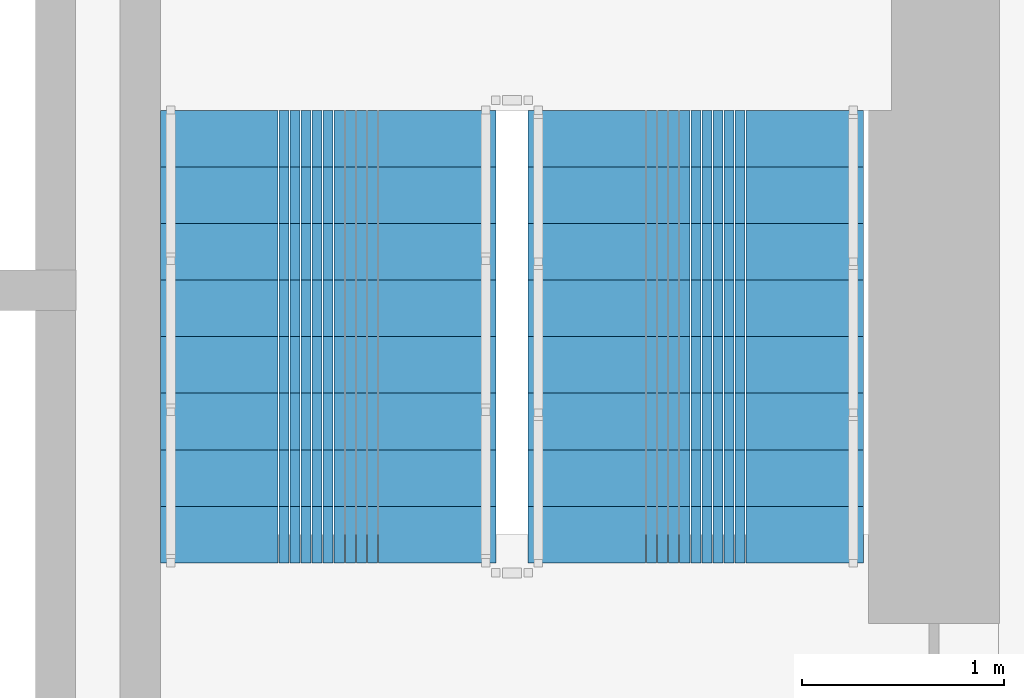
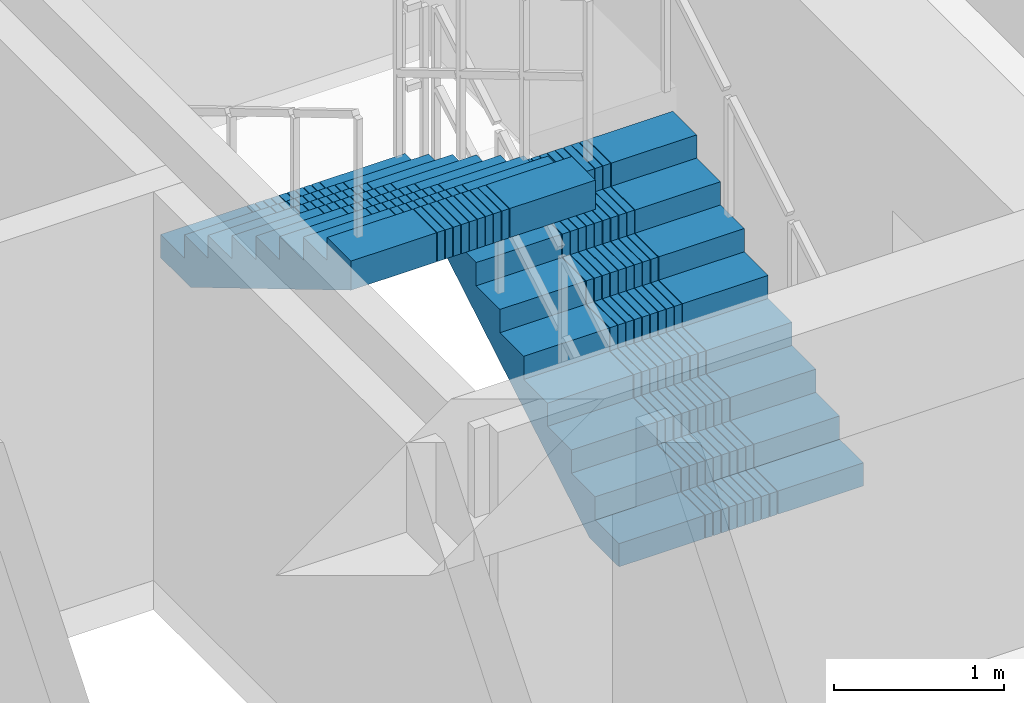
# One storey, part 22 of 28: 2 stair flights, 1 element without a shape of its own.
"""IFC4 building model written with IfcOpenShell, lengths in metres."""

import ifcopenshell
import ifcopenshell.guid

model = None  # the IFC model being written
_history = None  # IfcOwnerHistory: only IFC2X3 demands one
_inside = {}  # id of a spatial element -> (the spatial element, [elements in it])
_under = {}  # id of a project, library or spatial element -> (it, [spatial elements below it])
_declared = {}  # id of a project -> (the project, [libraries it declares])
_typed = {}  # id of a type object -> (the type object, [elements of that type])
_made_of = {}  # id of a material, layer set ... -> (it, [elements and type objects made of it])


def new_model(schema):
    """Start an empty IFC model of exactly this schema.

    Asked for "IFC4X3", IfcOpenShell would pick the latest addendum, in which some entities
    have other attributes; the version numbers below select the first issue.
    IFC2X3 requires an IfcOwnerHistory on every rooted entity: one is made here for all.
    """
    global model, _history
    if schema == "IFC4X3":
        model = ifcopenshell.file(schema_version=(4, 3, 0, 0))
    else:
        model = ifcopenshell.file(schema=schema)
    _inside.clear()
    _under.clear()
    _declared.clear()
    _typed.clear()
    _made_of.clear()
    _history = None
    if model.schema == "IFC2X3":
        org = make("IfcOrganization", Name="unknown")
        user = make(
            "IfcPersonAndOrganization",
            ThePerson=make("IfcPerson", FamilyName="unknown"),
            TheOrganization=org,
        )
        app = make(
            "IfcApplication",
            ApplicationDeveloper=org,
            Version="unknown",
            ApplicationFullName="unknown",
            ApplicationIdentifier="unknown",
        )
        _history = make(
            "IfcOwnerHistory",
            OwningUser=user,
            OwningApplication=app,
            ChangeAction="ADDED",
            CreationDate=0,
        )
    return model


def make(cls, **values):
    """One entity of the class cls with the attributes given. An attribute that is None is left unset."""
    return model.create_entity(
        cls, **{name: value for name, value in values.items() if value is not None}
    )


def rooted(cls, **values):
    """An entity with a GlobalId (a new one), such as an element, a storey or a relation."""
    return make(cls, GlobalId=ifcopenshell.guid.new(), OwnerHistory=_history, **values)


def si_unit(unit_type, name, prefix=None):
    """IfcSIUnit, for example si_unit("LENGTHUNIT", "METRE", prefix="MILLI")."""
    return make("IfcSIUnit", UnitType=unit_type, Prefix=prefix, Name=name)


def assignment(units):
    """IfcUnitAssignment: the units of a project."""
    return None if units is None else make("IfcUnitAssignment", Units=units)


def point(xyz):
    """IfcCartesianPoint."""
    return None if xyz is None else make("IfcCartesianPoint", Coordinates=xyz)


def direction(xyz):
    """IfcDirection."""
    return None if xyz is None else make("IfcDirection", DirectionRatios=xyz)


def frame(location, z_axis=None, x_axis=None):
    """IfcAxis2Placement3D, a coordinate frame: its origin and axes. An axis left out is left unset."""
    return make(
        "IfcAxis2Placement3D",
        Location=point(location),
        Axis=direction(z_axis),
        RefDirection=direction(x_axis),
    )


def origin():
    """The frame at (0, 0, 0) with its axes left unset."""
    return frame((0.0, 0.0, 0.0))


def place(relative_to, where):
    """IfcLocalPlacement: puts the frame where relative to a parent placement (None: the world)."""
    return make(
        "IfcLocalPlacement", PlacementRelTo=relative_to, RelativePlacement=where
    )


def context(
    kind, dimensions, precision=None, world=None, true_north=None, identifier=None
):
    """IfcGeometricRepresentationContext, for example the 3D "Model" context."""
    return make(
        "IfcGeometricRepresentationContext",
        ContextIdentifier=identifier,
        ContextType=kind,
        CoordinateSpaceDimension=dimensions,
        Precision=precision,
        WorldCoordinateSystem=world,
        TrueNorth=true_north,
    )


def subcontext(parent, identifier, kind, view, scale=None):
    """IfcGeometricRepresentationSubContext, for example "Body" below "Model"."""
    return make(
        "IfcGeometricRepresentationSubContext",
        ContextIdentifier=identifier,
        ContextType=kind,
        ParentContext=parent,
        TargetScale=scale,
        TargetView=view,
    )


def project(units=None, contexts=None):
    """IfcProject with its units and contexts."""
    return rooted(
        "IfcProject",
        Name="project",
        RepresentationContexts=contexts,
        UnitsInContext=assignment(units),
    )


def spatial(cls, under=None, at=None, **own):
    """A site, building, storey or space (cls), placed at a placement, below another one or the project."""
    s = rooted(cls, ObjectPlacement=at, **own)
    if under is not None:
        _under.setdefault(under.id(), (under, []))[1].append(s)
    return s


def polyline(points):
    """IfcPolyline through the points."""
    return make("IfcPolyline", Points=[point(p) for p in points])


def outline(outer, holes=None, kind="AREA"):
    """IfcArbitraryClosedProfileDef: a profile drawn as a closed curve; with holes, ...WithVoids."""
    if holes is None:
        return make("IfcArbitraryClosedProfileDef", ProfileType=kind, OuterCurve=outer)
    return make(
        "IfcArbitraryProfileDefWithVoids",
        ProfileType=kind,
        OuterCurve=outer,
        InnerCurves=holes,
    )


def extrude(swept, where, along, depth):
    """IfcExtrudedAreaSolid: the profile swept, set in the frame where, extruded along a direction by depth."""
    return make(
        "IfcExtrudedAreaSolid",
        SweptArea=swept,
        Position=where,
        ExtrudedDirection=direction(along),
        Depth=depth,
    )


def shape(context_of_items, identifier, shape_type, items):
    """IfcShapeRepresentation: the items that make up one representation, for example the "Body"."""
    return make(
        "IfcShapeRepresentation",
        ContextOfItems=context_of_items,
        RepresentationIdentifier=identifier,
        RepresentationType=shape_type,
        Items=items,
    )


def material(Name=None, Category=None):
    """IfcMaterial."""
    return make("IfcMaterial", Name=Name, Category=Category)


def made_of(thing, what):
    """Note that an element or type object is made of a material, layer set ...; save() writes the relation."""
    if what is not None:
        _made_of.setdefault(what.id(), (what, []))[1].append(thing)
    return thing


def type_object(cls, material=None, **own):
    """A type object (cls), such as IfcWallType, which elements share."""
    return made_of(rooted(cls, **own), material)


def element(
    cls,
    number,
    at=None,
    inside=None,
    cuts=None,
    type_object=None,
    material=None,
    context=None,
    identifier="Body",
    shape_type=None,
    held_by="IfcProductDefinitionShape",
    body=None,
    shapes=None,
    **own,
):
    """One element of the class cls, such as IfcWall. Its Tag is "e" and its number.

    at: its placement. inside: the storey or other place that contains it. cuts: it is an
    opening in that element (IfcRelVoidsElement). A single representation is given by context,
    identifier, shape_type and body (its items); several are given by shapes. held_by: the class
    of the entity that holds the representations. save() writes the other relations.
    """
    e = rooted(cls, Tag="e%d" % number, ObjectPlacement=at, **own)
    if body is not None:
        shapes = [shape(context, identifier, shape_type, body)]
    if shapes is not None:
        e.Representation = make(held_by, Representations=shapes)
    if inside is not None:
        _inside.setdefault(inside.id(), (inside, []))[1].append(e)
    if cuts is not None:
        rooted(
            "IfcRelVoidsElement", RelatingBuildingElement=cuts, RelatedOpeningElement=e
        )
    if type_object is not None:
        _typed.setdefault(type_object.id(), (type_object, []))[1].append(e)
    return made_of(e, material)


def aggregate(whole, parts):
    """IfcRelAggregates: a whole, such as a stair, and the parts it consists of."""
    return rooted("IfcRelAggregates", RelatingObject=whole, RelatedObjects=parts)


def save(model, path):
    """Write the relations noted so far, then the file.

    IfcRelAggregates (storeys below a building ...), IfcRelContainedInSpatialStructure (elements
    in a storey), IfcRelDefinesByType, IfcRelAssociatesMaterial and IfcRelDeclares: one each for
    every whole, place, type object, material and project.
    """
    for whole, parts in _under.values():
        aggregate(whole, parts)
    for where, things in _inside.values():
        rooted(
            "IfcRelContainedInSpatialStructure",
            RelatedElements=things,
            RelatingStructure=where,
        )
    for kind, things in _typed.values():
        rooted("IfcRelDefinesByType", RelatedObjects=things, RelatingType=kind)
    for what, things in _made_of.values():
        rooted("IfcRelAssociatesMaterial", RelatedObjects=things, RelatingMaterial=what)
    for by, libraries in _declared.values():
        rooted("IfcRelDeclares", RelatingContext=by, RelatedDefinitions=libraries)
    model.write(path)


model = new_model("IFC4")

# Units and contexts
model_context = context("Model", 3, precision=1e-05, world=origin(), true_north=direction((0.0, 1.0)))
body_context = subcontext(model_context, "Body", "Model", "MODEL_VIEW")
ifc_project = project(units=[si_unit("LENGTHUNIT", "METRE"), si_unit("AREAUNIT", "SQUARE_METRE"), si_unit("VOLUMEUNIT", "CUBIC_METRE"), si_unit("PLANEANGLEUNIT", "RADIAN"), si_unit("MASSUNIT", "GRAM", prefix="KILO")], contexts=[model_context])

# Site, building, storey
site_placement = place(None, origin())
site = spatial("IfcSite", under=ifc_project, at=site_placement, CompositionType="ELEMENT")
building_placement = place(site_placement, origin())
building = spatial("IfcBuilding", under=site, at=building_placement, Name="Saelheon Loggia Tower", CompositionType="ELEMENT")
storey_placement = place(building_placement, frame((0.0, 0.0, 25.39990234375)))
storey = spatial("IfcBuildingStorey", under=building, at=storey_placement, Name="L07", CompositionType="ELEMENT", Elevation=25.39990234375)

# Stair, stair flights
ifc_material = material(Name="Concrete C40/50", Category="concrete")
stair_type = type_object("IfcStairType", Name="Stair_Escape_Core", PredefinedType="HALF_TURN_STAIR", material=ifc_material)
stair_placement = place(storey_placement, origin())
stair = element("IfcStair", 1, at=stair_placement, inside=storey, type_object=stair_type, Name="L07 Special Escape Stair ST2", PredefinedType="HALF_TURN_STAIR")
stair_flight_type = type_object("IfcStairFlightType", Name="StairFlight_Tower_1660", PredefinedType="STRAIGHT", material=ifc_material)
stair_flight_1_placement = place(storey_placement, frame((43.320068359375, 30.449951171875, 0.0), z_axis=(0.0, 0.0, 1.0), x_axis=(0.0, 1.0, 0.0)))
stair_flight_1 = element("IfcStairFlight", 2, at=stair_flight_1_placement, type_object=stair_flight_type, Name="ST2 flight 1", NumberOfRisers=9, NumberOfTreads=8, PredefinedType="STRAIGHT", RiserHeight=0.166666667, TreadLength=0.28, context=body_context, shape_type="SweptSolid", body=[
    extrude(outline(polyline([(0.0, 0.0), (0.0, 0.166748046875), (0.280029296875, 0.166748046875), (0.280029296875, 0.333251953125), (0.56005859375, 0.333251953125), (0.56005859375, 0.5), (0.840087890625, 0.5), (0.840087890625, 0.666748046875), (1.1201171875, 0.666748046875), (1.1201171875, 0.833251953125), (1.39990234375, 0.833251953125), (1.39990234375, 1.0), (1.679931640625, 1.0), (1.679931640625, 1.166748046875), (1.9599609375, 1.166748046875), (1.9599609375, 1.333251953125), (2.239990234375, 1.333251953125), (2.239990234375, 1.5), (2.239990234375, 1.1240234375), (0.351806640625, 0.0), (0.0, 0.0)])), frame((0.0, -0.2490234375, 0.0), z_axis=(0.0, -1.0, 0.0), x_axis=(1.0, 0.0, 0.0)), (0.0, 0.0, 1.0), 0.5810546875),
    extrude(outline(polyline([(0.0, 0.0), (0.0, 0.166748046875), (0.280029296875, 0.166748046875), (0.280029296875, 0.333251953125), (0.56005859375, 0.333251953125), (0.56005859375, 0.5), (0.840087890625, 0.5), (0.840087890625, 0.666748046875), (1.1201171875, 0.666748046875), (1.1201171875, 0.833251953125), (1.39990234375, 0.833251953125), (1.39990234375, 1.0), (1.679931640625, 1.0), (1.679931640625, 1.166748046875), (1.9599609375, 1.166748046875), (1.9599609375, 1.333251953125), (2.239990234375, 1.333251953125), (2.239990234375, 1.5), (2.239990234375, 1.1240234375), (0.351806640625, 0.0), (0.0, 0.0)])), frame((0.0, -0.194091796875, 0.0), z_axis=(0.0, -1.0, 0.0), x_axis=(1.0, 0.0, 0.0)), (0.0, 0.0, 1.0), 0.0498046875),
    extrude(outline(polyline([(0.0, 0.0), (0.0, 0.166748046875), (0.280029296875, 0.166748046875), (0.280029296875, 0.333251953125), (0.56005859375, 0.333251953125), (0.56005859375, 0.5), (0.840087890625, 0.5), (0.840087890625, 0.666748046875), (1.1201171875, 0.666748046875), (1.1201171875, 0.833251953125), (1.39990234375, 0.833251953125), (1.39990234375, 1.0), (1.679931640625, 1.0), (1.679931640625, 1.166748046875), (1.9599609375, 1.166748046875), (1.9599609375, 1.333251953125), (2.239990234375, 1.333251953125), (2.239990234375, 1.5), (2.239990234375, 1.1240234375), (0.351806640625, 0.0), (0.0, 0.0)])), frame((0.0, -0.139404296875, 0.0), z_axis=(0.0, -1.0, 0.0), x_axis=(1.0, 0.0, 0.0)), (0.0, 0.0, 1.0), 0.0498046875),
    extrude(outline(polyline([(0.0, 0.0), (0.0, 0.166748046875), (0.280029296875, 0.166748046875), (0.280029296875, 0.333251953125), (0.56005859375, 0.333251953125), (0.56005859375, 0.5), (0.840087890625, 0.5), (0.840087890625, 0.666748046875), (1.1201171875, 0.666748046875), (1.1201171875, 0.833251953125), (1.39990234375, 0.833251953125), (1.39990234375, 1.0), (1.679931640625, 1.0), (1.679931640625, 1.166748046875), (1.9599609375, 1.166748046875), (1.9599609375, 1.333251953125), (2.239990234375, 1.333251953125), (2.239990234375, 1.5), (2.239990234375, 1.1240234375), (0.351806640625, 0.0), (0.0, 0.0)])), frame((0.0, -0.084716796875, 0.0), z_axis=(0.0, -1.0, 0.0), x_axis=(1.0, 0.0, 0.0)), (0.0, 0.0, 1.0), 0.0498046875),
    extrude(outline(polyline([(0.0, 0.0), (0.0, 0.166748046875), (0.280029296875, 0.166748046875), (0.280029296875, 0.333251953125), (0.56005859375, 0.333251953125), (0.56005859375, 0.5), (0.840087890625, 0.5), (0.840087890625, 0.666748046875), (1.1201171875, 0.666748046875), (1.1201171875, 0.833251953125), (1.39990234375, 0.833251953125), (1.39990234375, 1.0), (1.679931640625, 1.0), (1.679931640625, 1.166748046875), (1.9599609375, 1.166748046875), (1.9599609375, 1.333251953125), (2.239990234375, 1.333251953125), (2.239990234375, 1.5), (2.239990234375, 1.1240234375), (0.351806640625, 0.0), (0.0, 0.0)])), frame((0.0, -0.02978515625, 0.0), z_axis=(0.0, -1.0, 0.0), x_axis=(1.0, 0.0, 0.0)), (0.0, 0.0, 1.0), 0.0498046875),
    extrude(outline(polyline([(0.0, 0.0), (0.0, 0.166748046875), (0.280029296875, 0.166748046875), (0.280029296875, 0.333251953125), (0.56005859375, 0.333251953125), (0.56005859375, 0.5), (0.840087890625, 0.5), (0.840087890625, 0.666748046875), (1.1201171875, 0.666748046875), (1.1201171875, 0.833251953125), (1.39990234375, 0.833251953125), (1.39990234375, 1.0), (1.679931640625, 1.0), (1.679931640625, 1.166748046875), (1.9599609375, 1.166748046875), (1.9599609375, 1.333251953125), (2.239990234375, 1.333251953125), (2.239990234375, 1.5), (2.239990234375, 1.1240234375), (0.351806640625, 0.0), (0.0, 0.0)])), frame((0.0, 0.02490234375, 0.0), z_axis=(0.0, -1.0, 0.0), x_axis=(1.0, 0.0, 0.0)), (0.0, 0.0, 1.0), 0.0498046875),
    extrude(outline(polyline([(0.0, 0.0), (0.0, 0.166748046875), (0.280029296875, 0.166748046875), (0.280029296875, 0.333251953125), (0.56005859375, 0.333251953125), (0.56005859375, 0.5), (0.840087890625, 0.5), (0.840087890625, 0.666748046875), (1.1201171875, 0.666748046875), (1.1201171875, 0.833251953125), (1.39990234375, 0.833251953125), (1.39990234375, 1.0), (1.679931640625, 1.0), (1.679931640625, 1.166748046875), (1.9599609375, 1.166748046875), (1.9599609375, 1.333251953125), (2.239990234375, 1.333251953125), (2.239990234375, 1.5), (2.239990234375, 1.1240234375), (0.351806640625, 0.0), (0.0, 0.0)])), frame((0.0, 0.07958984375, 0.0), z_axis=(0.0, -1.0, 0.0), x_axis=(1.0, 0.0, 0.0)), (0.0, 0.0, 1.0), 0.0498046875),
    extrude(outline(polyline([(0.0, 0.0), (0.0, 0.166748046875), (0.280029296875, 0.166748046875), (0.280029296875, 0.333251953125), (0.56005859375, 0.333251953125), (0.56005859375, 0.5), (0.840087890625, 0.5), (0.840087890625, 0.666748046875), (1.1201171875, 0.666748046875), (1.1201171875, 0.833251953125), (1.39990234375, 0.833251953125), (1.39990234375, 1.0), (1.679931640625, 1.0), (1.679931640625, 1.166748046875), (1.9599609375, 1.166748046875), (1.9599609375, 1.333251953125), (2.239990234375, 1.333251953125), (2.239990234375, 1.5), (2.239990234375, 1.1240234375), (0.351806640625, 0.0), (0.0, 0.0)])), frame((0.0, 0.134521484375, 0.0), z_axis=(0.0, -1.0, 0.0), x_axis=(1.0, 0.0, 0.0)), (0.0, 0.0, 1.0), 0.0498046875),
    extrude(outline(polyline([(0.0, 0.0), (0.0, 0.166748046875), (0.280029296875, 0.166748046875), (0.280029296875, 0.333251953125), (0.56005859375, 0.333251953125), (0.56005859375, 0.5), (0.840087890625, 0.5), (0.840087890625, 0.666748046875), (1.1201171875, 0.666748046875), (1.1201171875, 0.833251953125), (1.39990234375, 0.833251953125), (1.39990234375, 1.0), (1.679931640625, 1.0), (1.679931640625, 1.166748046875), (1.9599609375, 1.166748046875), (1.9599609375, 1.333251953125), (2.239990234375, 1.333251953125), (2.239990234375, 1.5), (2.239990234375, 1.1240234375), (0.351806640625, 0.0), (0.0, 0.0)])), frame((0.0, 0.189208984375, 0.0), z_axis=(0.0, -1.0, 0.0), x_axis=(1.0, 0.0, 0.0)), (0.0, 0.0, 1.0), 0.0498046875),
    extrude(outline(polyline([(0.0, 0.0), (0.0, 0.166748046875), (0.280029296875, 0.166748046875), (0.280029296875, 0.333251953125), (0.56005859375, 0.333251953125), (0.56005859375, 0.5), (0.840087890625, 0.5), (0.840087890625, 0.666748046875), (1.1201171875, 0.666748046875), (1.1201171875, 0.833251953125), (1.39990234375, 0.833251953125), (1.39990234375, 1.0), (1.679931640625, 1.0), (1.679931640625, 1.166748046875), (1.9599609375, 1.166748046875), (1.9599609375, 1.333251953125), (2.239990234375, 1.333251953125), (2.239990234375, 1.5), (2.239990234375, 1.1240234375), (0.351806640625, 0.0), (0.0, 0.0)])), frame((0.0, 0.243896484375, 0.0), z_axis=(0.0, -1.0, 0.0), x_axis=(1.0, 0.0, 0.0)), (0.0, 0.0, 1.0), 0.0498046875),
    extrude(outline(polyline([(0.0, 0.0), (0.0, 0.166748046875), (0.280029296875, 0.166748046875), (0.280029296875, 0.333251953125), (0.56005859375, 0.333251953125), (0.56005859375, 0.5), (0.840087890625, 0.5), (0.840087890625, 0.666748046875), (1.1201171875, 0.666748046875), (1.1201171875, 0.833251953125), (1.39990234375, 0.833251953125), (1.39990234375, 1.0), (1.679931640625, 1.0), (1.679931640625, 1.166748046875), (1.9599609375, 1.166748046875), (1.9599609375, 1.333251953125), (2.239990234375, 1.333251953125), (2.239990234375, 1.5), (2.239990234375, 1.1240234375), (0.351806640625, 0.0), (0.0, 0.0)])), frame((0.0, 0.830078125, 0.0), z_axis=(0.0, -1.0, 0.0), x_axis=(1.0, 0.0, 0.0)), (0.0, 0.0, 1.0), 0.5810546875),
])
stair_flight_2_placement = place(storey_placement, frame((41.5, 32.68994140625, 1.5), z_axis=(0.0, 0.0, 1.0), x_axis=(0.0, -1.0, 0.0)))
stair_flight_2 = element("IfcStairFlight", 3, at=stair_flight_2_placement, type_object=stair_flight_type, Name="ST2 flight 2", NumberOfRisers=9, NumberOfTreads=8, PredefinedType="STRAIGHT", RiserHeight=0.166666667, TreadLength=0.28, context=body_context, shape_type="SweptSolid", body=[
    extrude(outline(polyline([(0.0, 0.0), (0.0, 0.166748046875), (0.280029296875, 0.166748046875), (0.280029296875, 0.333251953125), (0.56005859375, 0.333251953125), (0.56005859375, 0.5), (0.840087890625, 0.5), (0.840087890625, 0.666748046875), (1.1201171875, 0.666748046875), (1.1201171875, 0.833251953125), (1.39990234375, 0.833251953125), (1.39990234375, 1.0), (1.679931640625, 1.0), (1.679931640625, 1.166748046875), (1.9599609375, 1.166748046875), (1.9599609375, 1.333251953125), (2.239990234375, 1.333251953125), (2.239990234375, 1.5), (2.239990234375, 1.1240234375), (0.351806640625, 0.0), (0.0, 0.0)])), frame((0.0, -0.2490234375, 0.0), z_axis=(0.0, -1.0, 0.0), x_axis=(1.0, 0.0, 0.0)), (0.0, 0.0, 1.0), 0.5810546875),
    extrude(outline(polyline([(0.0, 0.0), (0.0, 0.166748046875), (0.280029296875, 0.166748046875), (0.280029296875, 0.333251953125), (0.56005859375, 0.333251953125), (0.56005859375, 0.5), (0.840087890625, 0.5), (0.840087890625, 0.666748046875), (1.1201171875, 0.666748046875), (1.1201171875, 0.833251953125), (1.39990234375, 0.833251953125), (1.39990234375, 1.0), (1.679931640625, 1.0), (1.679931640625, 1.166748046875), (1.9599609375, 1.166748046875), (1.9599609375, 1.333251953125), (2.239990234375, 1.333251953125), (2.239990234375, 1.5), (2.239990234375, 1.1240234375), (0.351806640625, 0.0), (0.0, 0.0)])), frame((0.0, -0.194091796875, 0.0), z_axis=(0.0, -1.0, 0.0), x_axis=(1.0, 0.0, 0.0)), (0.0, 0.0, 1.0), 0.0498046875),
    extrude(outline(polyline([(0.0, 0.0), (0.0, 0.166748046875), (0.280029296875, 0.166748046875), (0.280029296875, 0.333251953125), (0.56005859375, 0.333251953125), (0.56005859375, 0.5), (0.840087890625, 0.5), (0.840087890625, 0.666748046875), (1.1201171875, 0.666748046875), (1.1201171875, 0.833251953125), (1.39990234375, 0.833251953125), (1.39990234375, 1.0), (1.679931640625, 1.0), (1.679931640625, 1.166748046875), (1.9599609375, 1.166748046875), (1.9599609375, 1.333251953125), (2.239990234375, 1.333251953125), (2.239990234375, 1.5), (2.239990234375, 1.1240234375), (0.351806640625, 0.0), (0.0, 0.0)])), frame((0.0, -0.139404296875, 0.0), z_axis=(0.0, -1.0, 0.0), x_axis=(1.0, 0.0, 0.0)), (0.0, 0.0, 1.0), 0.0498046875),
    extrude(outline(polyline([(0.0, 0.0), (0.0, 0.166748046875), (0.280029296875, 0.166748046875), (0.280029296875, 0.333251953125), (0.56005859375, 0.333251953125), (0.56005859375, 0.5), (0.840087890625, 0.5), (0.840087890625, 0.666748046875), (1.1201171875, 0.666748046875), (1.1201171875, 0.833251953125), (1.39990234375, 0.833251953125), (1.39990234375, 1.0), (1.679931640625, 1.0), (1.679931640625, 1.166748046875), (1.9599609375, 1.166748046875), (1.9599609375, 1.333251953125), (2.239990234375, 1.333251953125), (2.239990234375, 1.5), (2.239990234375, 1.1240234375), (0.351806640625, 0.0), (0.0, 0.0)])), frame((0.0, -0.084716796875, 0.0), z_axis=(0.0, -1.0, 0.0), x_axis=(1.0, 0.0, 0.0)), (0.0, 0.0, 1.0), 0.0498046875),
    extrude(outline(polyline([(0.0, 0.0), (0.0, 0.166748046875), (0.280029296875, 0.166748046875), (0.280029296875, 0.333251953125), (0.56005859375, 0.333251953125), (0.56005859375, 0.5), (0.840087890625, 0.5), (0.840087890625, 0.666748046875), (1.1201171875, 0.666748046875), (1.1201171875, 0.833251953125), (1.39990234375, 0.833251953125), (1.39990234375, 1.0), (1.679931640625, 1.0), (1.679931640625, 1.166748046875), (1.9599609375, 1.166748046875), (1.9599609375, 1.333251953125), (2.239990234375, 1.333251953125), (2.239990234375, 1.5), (2.239990234375, 1.1240234375), (0.351806640625, 0.0), (0.0, 0.0)])), frame((0.0, -0.02978515625, 0.0), z_axis=(0.0, -1.0, 0.0), x_axis=(1.0, 0.0, 0.0)), (0.0, 0.0, 1.0), 0.0498046875),
    extrude(outline(polyline([(0.0, 0.0), (0.0, 0.166748046875), (0.280029296875, 0.166748046875), (0.280029296875, 0.333251953125), (0.56005859375, 0.333251953125), (0.56005859375, 0.5), (0.840087890625, 0.5), (0.840087890625, 0.666748046875), (1.1201171875, 0.666748046875), (1.1201171875, 0.833251953125), (1.39990234375, 0.833251953125), (1.39990234375, 1.0), (1.679931640625, 1.0), (1.679931640625, 1.166748046875), (1.9599609375, 1.166748046875), (1.9599609375, 1.333251953125), (2.239990234375, 1.333251953125), (2.239990234375, 1.5), (2.239990234375, 1.1240234375), (0.351806640625, 0.0), (0.0, 0.0)])), frame((0.0, 0.02490234375, 0.0), z_axis=(0.0, -1.0, 0.0), x_axis=(1.0, 0.0, 0.0)), (0.0, 0.0, 1.0), 0.0498046875),
    extrude(outline(polyline([(0.0, 0.0), (0.0, 0.166748046875), (0.280029296875, 0.166748046875), (0.280029296875, 0.333251953125), (0.56005859375, 0.333251953125), (0.56005859375, 0.5), (0.840087890625, 0.5), (0.840087890625, 0.666748046875), (1.1201171875, 0.666748046875), (1.1201171875, 0.833251953125), (1.39990234375, 0.833251953125), (1.39990234375, 1.0), (1.679931640625, 1.0), (1.679931640625, 1.166748046875), (1.9599609375, 1.166748046875), (1.9599609375, 1.333251953125), (2.239990234375, 1.333251953125), (2.239990234375, 1.5), (2.239990234375, 1.1240234375), (0.351806640625, 0.0), (0.0, 0.0)])), frame((0.0, 0.07958984375, 0.0), z_axis=(0.0, -1.0, 0.0), x_axis=(1.0, 0.0, 0.0)), (0.0, 0.0, 1.0), 0.0498046875),
    extrude(outline(polyline([(0.0, 0.0), (0.0, 0.166748046875), (0.280029296875, 0.166748046875), (0.280029296875, 0.333251953125), (0.56005859375, 0.333251953125), (0.56005859375, 0.5), (0.840087890625, 0.5), (0.840087890625, 0.666748046875), (1.1201171875, 0.666748046875), (1.1201171875, 0.833251953125), (1.39990234375, 0.833251953125), (1.39990234375, 1.0), (1.679931640625, 1.0), (1.679931640625, 1.166748046875), (1.9599609375, 1.166748046875), (1.9599609375, 1.333251953125), (2.239990234375, 1.333251953125), (2.239990234375, 1.5), (2.239990234375, 1.1240234375), (0.351806640625, 0.0), (0.0, 0.0)])), frame((0.0, 0.134521484375, 0.0), z_axis=(0.0, -1.0, 0.0), x_axis=(1.0, 0.0, 0.0)), (0.0, 0.0, 1.0), 0.0498046875),
    extrude(outline(polyline([(0.0, 0.0), (0.0, 0.166748046875), (0.280029296875, 0.166748046875), (0.280029296875, 0.333251953125), (0.56005859375, 0.333251953125), (0.56005859375, 0.5), (0.840087890625, 0.5), (0.840087890625, 0.666748046875), (1.1201171875, 0.666748046875), (1.1201171875, 0.833251953125), (1.39990234375, 0.833251953125), (1.39990234375, 1.0), (1.679931640625, 1.0), (1.679931640625, 1.166748046875), (1.9599609375, 1.166748046875), (1.9599609375, 1.333251953125), (2.239990234375, 1.333251953125), (2.239990234375, 1.5), (2.239990234375, 1.1240234375), (0.351806640625, 0.0), (0.0, 0.0)])), frame((0.0, 0.189208984375, 0.0), z_axis=(0.0, -1.0, 0.0), x_axis=(1.0, 0.0, 0.0)), (0.0, 0.0, 1.0), 0.0498046875),
    extrude(outline(polyline([(0.0, 0.0), (0.0, 0.166748046875), (0.280029296875, 0.166748046875), (0.280029296875, 0.333251953125), (0.56005859375, 0.333251953125), (0.56005859375, 0.5), (0.840087890625, 0.5), (0.840087890625, 0.666748046875), (1.1201171875, 0.666748046875), (1.1201171875, 0.833251953125), (1.39990234375, 0.833251953125), (1.39990234375, 1.0), (1.679931640625, 1.0), (1.679931640625, 1.166748046875), (1.9599609375, 1.166748046875), (1.9599609375, 1.333251953125), (2.239990234375, 1.333251953125), (2.239990234375, 1.5), (2.239990234375, 1.1240234375), (0.351806640625, 0.0), (0.0, 0.0)])), frame((0.0, 0.243896484375, 0.0), z_axis=(0.0, -1.0, 0.0), x_axis=(1.0, 0.0, 0.0)), (0.0, 0.0, 1.0), 0.0498046875),
    extrude(outline(polyline([(0.0, 0.0), (0.0, 0.166748046875), (0.280029296875, 0.166748046875), (0.280029296875, 0.333251953125), (0.56005859375, 0.333251953125), (0.56005859375, 0.5), (0.840087890625, 0.5), (0.840087890625, 0.666748046875), (1.1201171875, 0.666748046875), (1.1201171875, 0.833251953125), (1.39990234375, 0.833251953125), (1.39990234375, 1.0), (1.679931640625, 1.0), (1.679931640625, 1.166748046875), (1.9599609375, 1.166748046875), (1.9599609375, 1.333251953125), (2.239990234375, 1.333251953125), (2.239990234375, 1.5), (2.239990234375, 1.1240234375), (0.351806640625, 0.0), (0.0, 0.0)])), frame((0.0, 0.830078125, 0.0), z_axis=(0.0, -1.0, 0.0), x_axis=(1.0, 0.0, 0.0)), (0.0, 0.0, 1.0), 0.5810546875),
])
aggregate(stair, [stair_flight_1, stair_flight_2])

save(model, "model.ifc")
